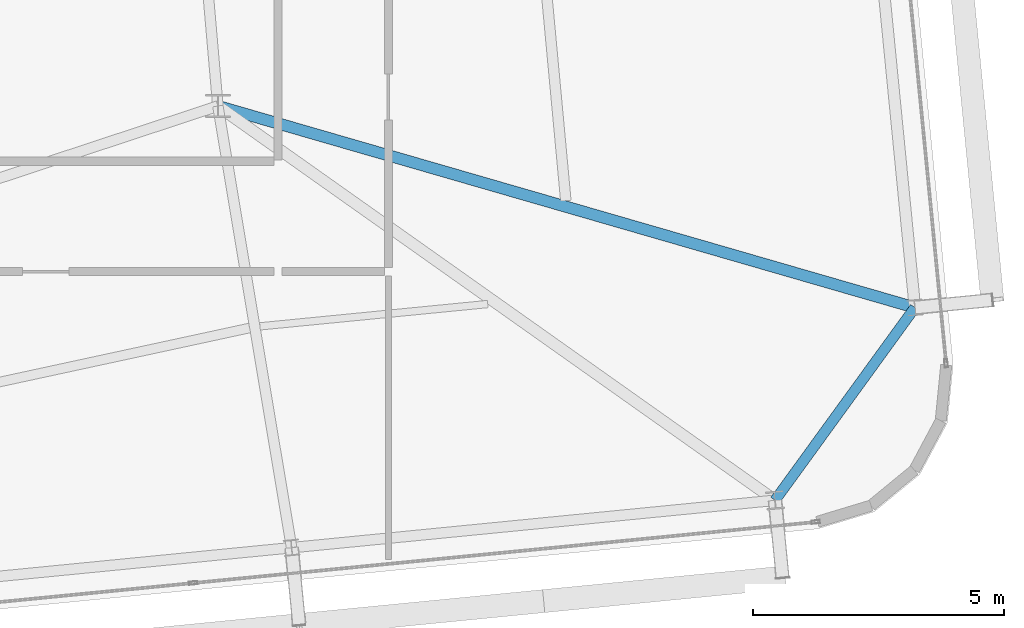
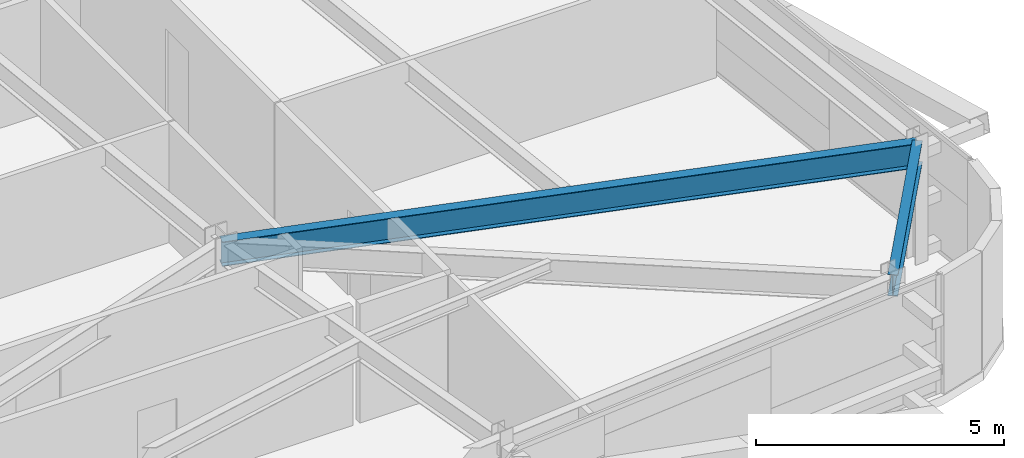
# One storey, part 18 of 47: 2 beams.
"""IFC4 building model written with IfcOpenShell, lengths in metres."""

from ifc_helpers import new_model, si_unit, direction, frame, origin, origin_2d, place, context, subcontext, project, spatial, i_section, extrude, source, transform, mapped, material, material_profile, profile_set, type_object, element, save


model = new_model("IFC4")

# Units and contexts
model_context = context("Model", 3, precision=1e-05, world=origin(), true_north=direction((0.0, 1.0)))
body_context = subcontext(model_context, "Body", "Model", "MODEL_VIEW")
ifc_project = project(units=[si_unit("LENGTHUNIT", "METRE"), si_unit("AREAUNIT", "SQUARE_METRE"), si_unit("VOLUMEUNIT", "CUBIC_METRE"), si_unit("PLANEANGLEUNIT", "RADIAN"), si_unit("MASSUNIT", "GRAM", prefix="KILO")], contexts=[model_context])

# Site, building, storey
site_placement = place(None, origin())
site = spatial("IfcSite", under=ifc_project, at=site_placement, CompositionType="ELEMENT")
building_placement = place(site_placement, origin())
building = spatial("IfcBuilding", under=site, at=building_placement, Name="Taldren Reach Tower", CompositionType="ELEMENT")
storey_placement = place(building_placement, frame((0.0, 0.0, 90.300048828125)))
storey = spatial("IfcBuildingStorey", under=building, at=storey_placement, Name="L27", CompositionType="ELEMENT", Elevation=90.300048828125)

# Beams
ifc_material = material(Name="Steel Gr 350 (350PLUS)", Category="steel")
ifc_material_profile_1 = material_profile(ifc_material, i_section(OverallWidth=0.208984375, OverallDepth=0.528076171875, WebThickness=0.009521484375, FlangeThickness=0.01318359375, at=origin_2d()), Name="530UB82.0")
ifc_profile_set_1 = profile_set([ifc_material_profile_1], Name="Steel Gr 350 (350PLUS)")
beam_type_1 = type_object("IfcBeamType", Name="SP-UB530B", PredefinedType="SPANDREL", material=ifc_profile_set_1)
shared_shape_1 = source(origin(), body_context, "Body", "SweptSolid", [
    extrude(i_section(OverallWidth=0.208984375, OverallDepth=0.528076171875, WebThickness=0.009521484375, FlangeThickness=0.01318359375, at=origin_2d()), origin(), (0.0, 0.0, 1.0), 4.74609375),
])
beam_1_placement = place(storey_placement, frame((63.103271484375, 4.64306640625, 2.666015625), z_axis=(0.58750777154, 0.809218523255, 0.0), x_axis=(-0.809218523255, 0.58750777154, 0.0)))
element("IfcBeam", 1, at=beam_1_placement, inside=storey, type_object=beam_type_1, Name="Perimeter spandrel B2 S6-E1 L27", PredefinedType="SPANDREL", context=body_context, shape_type="MappedRepresentation", body=[
    mapped(shared_shape_1, transform((0.0, 0.0, 0.0), scale=1.0)),
])
ifc_material_profile_2 = material_profile(ifc_material, i_section(OverallWidth=0.22802734375, OverallDepth=0.60205078125, WebThickness=0.010498046875, FlangeThickness=0.014892578125, at=origin_2d()), Name="610UB101")
ifc_profile_set_2 = profile_set([ifc_material_profile_2], Name="Steel Gr 350 (350PLUS)")
beam_type_2 = type_object("IfcBeamType", Name="BM-UB610B", PredefinedType="BEAM", material=ifc_profile_set_2)
shared_shape_2 = source(origin(), body_context, "Body", "SweptSolid", [
    extrude(i_section(OverallWidth=0.22802734375, OverallDepth=0.60205078125, WebThickness=0.010498046875, FlangeThickness=0.014892578125, at=origin_2d()), origin(), (0.0, 0.0, 1.0), 14.46044921875),
])
beam_2_placement = place(storey_placement, frame((52.0, 12.5, 2.62890625), z_axis=(0.960654638583, -0.277745684698, 0.0), x_axis=(0.277745684698, 0.960654638583, 0.0)))
element("IfcBeam", 2, at=beam_2_placement, inside=storey, type_object=beam_type_2, Name="Primary floor girder B2-E1 L27", PredefinedType="BEAM", context=body_context, shape_type="MappedRepresentation", body=[
    mapped(shared_shape_2, transform((0.0, 0.0, 0.0), scale=1.0)),
])

save(model, "model.ifc")
